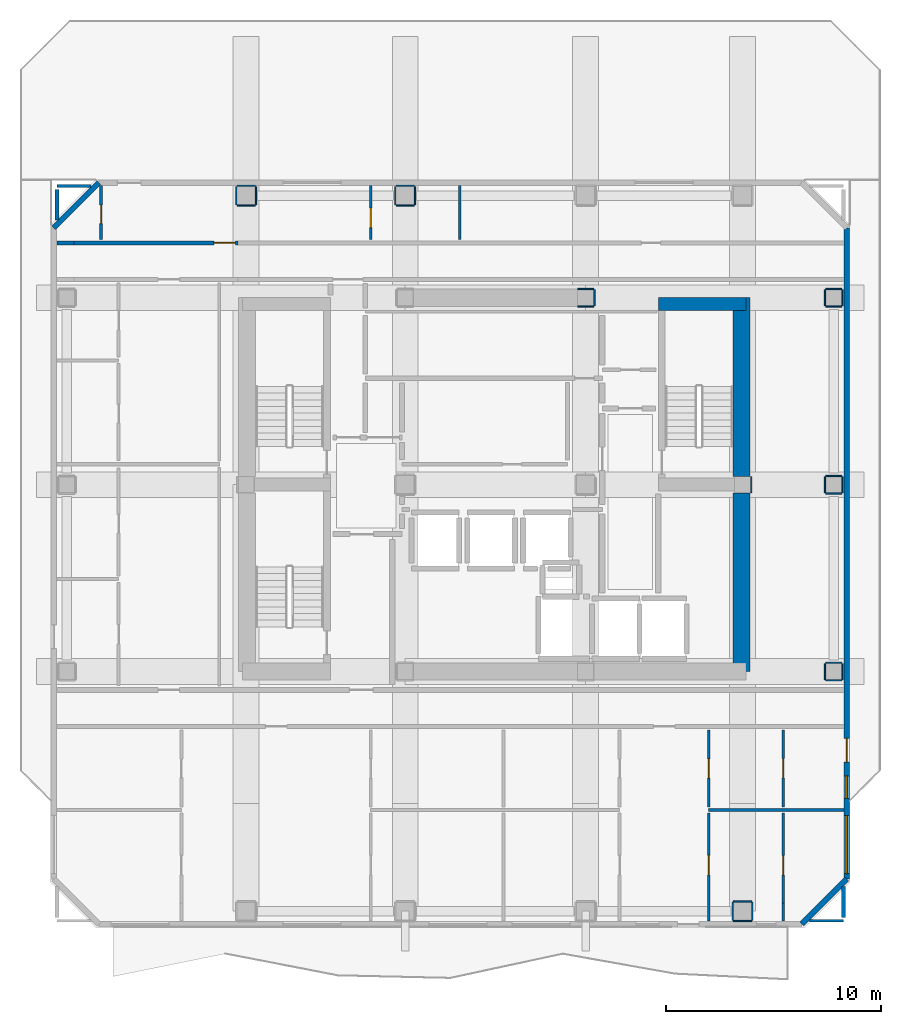
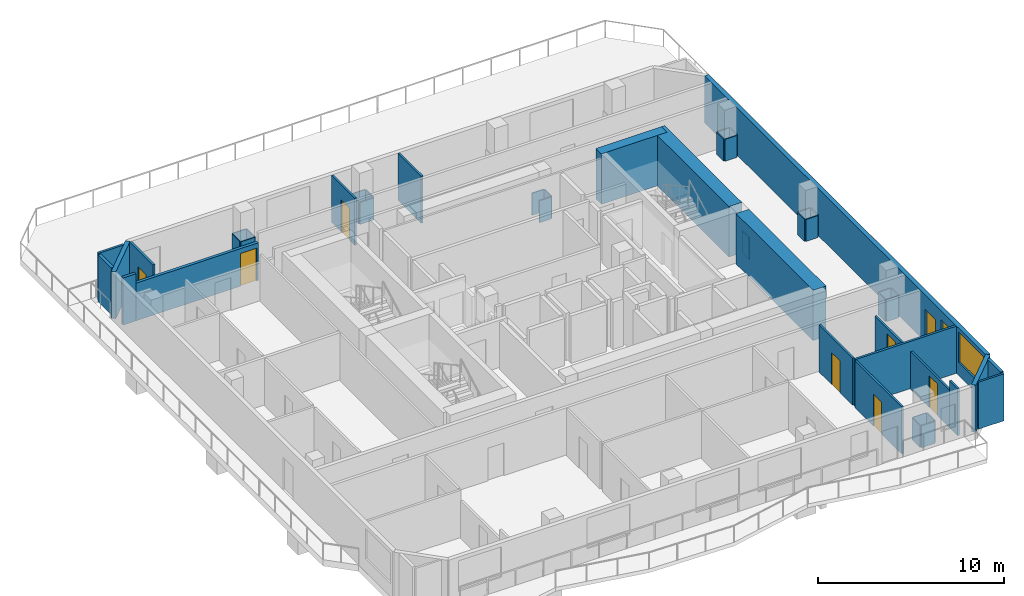
# One storey, part 5 of 10: 49 walls, 8 doors, 2 windows, 10 openings.
"""IFC4 building model written with IfcOpenShell, lengths in metres."""

import ifcopenshell
import ifcopenshell.guid

model = None  # the IFC model being written
_history = None  # IfcOwnerHistory: only IFC2X3 demands one
_inside = {}  # id of a spatial element -> (the spatial element, [elements in it])
_under = {}  # id of a project, library or spatial element -> (it, [spatial elements below it])
_declared = {}  # id of a project -> (the project, [libraries it declares])
_typed = {}  # id of a type object -> (the type object, [elements of that type])
_made_of = {}  # id of a material, layer set ... -> (it, [elements and type objects made of it])


def new_model(schema):
    """Start an empty IFC model of exactly this schema.

    Asked for "IFC4X3", IfcOpenShell would pick the latest addendum, in which some entities
    have other attributes; the version numbers below select the first issue.
    IFC2X3 requires an IfcOwnerHistory on every rooted entity: one is made here for all.
    """
    global model, _history
    if schema == "IFC4X3":
        model = ifcopenshell.file(schema_version=(4, 3, 0, 0))
    else:
        model = ifcopenshell.file(schema=schema)
    _inside.clear()
    _under.clear()
    _declared.clear()
    _typed.clear()
    _made_of.clear()
    _history = None
    if model.schema == "IFC2X3":
        org = make("IfcOrganization", Name="unknown")
        user = make(
            "IfcPersonAndOrganization",
            ThePerson=make("IfcPerson", FamilyName="unknown"),
            TheOrganization=org,
        )
        app = make(
            "IfcApplication",
            ApplicationDeveloper=org,
            Version="unknown",
            ApplicationFullName="unknown",
            ApplicationIdentifier="unknown",
        )
        _history = make(
            "IfcOwnerHistory",
            OwningUser=user,
            OwningApplication=app,
            ChangeAction="ADDED",
            CreationDate=0,
        )
    return model


def make(cls, **values):
    """One entity of the class cls with the attributes given. An attribute that is None is left unset."""
    return model.create_entity(
        cls, **{name: value for name, value in values.items() if value is not None}
    )


def rooted(cls, **values):
    """An entity with a GlobalId (a new one), such as an element, a storey or a relation."""
    return make(cls, GlobalId=ifcopenshell.guid.new(), OwnerHistory=_history, **values)


def si_unit(unit_type, name, prefix=None):
    """IfcSIUnit, for example si_unit("LENGTHUNIT", "METRE", prefix="MILLI")."""
    return make("IfcSIUnit", UnitType=unit_type, Prefix=prefix, Name=name)


def assignment(units):
    """IfcUnitAssignment: the units of a project."""
    return None if units is None else make("IfcUnitAssignment", Units=units)


def point(xyz):
    """IfcCartesianPoint."""
    return None if xyz is None else make("IfcCartesianPoint", Coordinates=xyz)


def direction(xyz):
    """IfcDirection."""
    return None if xyz is None else make("IfcDirection", DirectionRatios=xyz)


def frame(location, z_axis=None, x_axis=None):
    """IfcAxis2Placement3D, a coordinate frame: its origin and axes. An axis left out is left unset."""
    return make(
        "IfcAxis2Placement3D",
        Location=point(location),
        Axis=direction(z_axis),
        RefDirection=direction(x_axis),
    )


def frame_2d(location, x_axis=None):
    """IfcAxis2Placement2D, a coordinate frame in the plane: its origin and x axis."""
    return make(
        "IfcAxis2Placement2D", Location=point(location), RefDirection=direction(x_axis)
    )


def origin():
    """The frame at (0, 0, 0) with its axes left unset."""
    return frame((0.0, 0.0, 0.0))


def place(relative_to, where):
    """IfcLocalPlacement: puts the frame where relative to a parent placement (None: the world)."""
    return make(
        "IfcLocalPlacement", PlacementRelTo=relative_to, RelativePlacement=where
    )


def context(
    kind, dimensions, precision=None, world=None, true_north=None, identifier=None
):
    """IfcGeometricRepresentationContext, for example the 3D "Model" context."""
    return make(
        "IfcGeometricRepresentationContext",
        ContextIdentifier=identifier,
        ContextType=kind,
        CoordinateSpaceDimension=dimensions,
        Precision=precision,
        WorldCoordinateSystem=world,
        TrueNorth=true_north,
    )


def subcontext(parent, identifier, kind, view, scale=None):
    """IfcGeometricRepresentationSubContext, for example "Body" below "Model"."""
    return make(
        "IfcGeometricRepresentationSubContext",
        ContextIdentifier=identifier,
        ContextType=kind,
        ParentContext=parent,
        TargetScale=scale,
        TargetView=view,
    )


def project(units=None, contexts=None):
    """IfcProject with its units and contexts."""
    return rooted(
        "IfcProject",
        Name="project",
        RepresentationContexts=contexts,
        UnitsInContext=assignment(units),
    )


def spatial(cls, under=None, at=None, **own):
    """A site, building, storey or space (cls), placed at a placement, below another one or the project."""
    s = rooted(cls, ObjectPlacement=at, **own)
    if under is not None:
        _under.setdefault(under.id(), (under, []))[1].append(s)
    return s


def profile(cls, at=None, kind="AREA", **sizes):
    """A parametric profile (cls). Its sizes go by their IFC names, for example OverallWidth=200.0."""
    return make(cls, ProfileType=kind, Position=at, **sizes)


def rectangle(**sizes):
    """IfcRectangleProfileDef."""
    return profile("IfcRectangleProfileDef", **sizes)


def extrude(swept, where, along, depth):
    """IfcExtrudedAreaSolid: the profile swept, set in the frame where, extruded along a direction by depth."""
    return make(
        "IfcExtrudedAreaSolid",
        SweptArea=swept,
        Position=where,
        ExtrudedDirection=direction(along),
        Depth=depth,
    )


def shape(context_of_items, identifier, shape_type, items):
    """IfcShapeRepresentation: the items that make up one representation, for example the "Body"."""
    return make(
        "IfcShapeRepresentation",
        ContextOfItems=context_of_items,
        RepresentationIdentifier=identifier,
        RepresentationType=shape_type,
        Items=items,
    )


def material(Name=None, Category=None):
    """IfcMaterial."""
    return make("IfcMaterial", Name=Name, Category=Category)


def layer(
    of_material, thickness, ventilated=None, Name=None, Category=None, Priority=None
):
    """IfcMaterialLayer: one layer of a wall or slab, of a material (None: an air gap)."""
    return make(
        "IfcMaterialLayer",
        Material=of_material,
        LayerThickness=thickness,
        IsVentilated=ventilated,
        Name=Name,
        Category=Category,
        Priority=Priority,
    )


def layer_set(layers, Name=None):
    """IfcMaterialLayerSet."""
    return make("IfcMaterialLayerSet", MaterialLayers=layers, LayerSetName=Name)


def made_of(thing, what):
    """Note that an element or type object is made of a material, layer set ...; save() writes the relation."""
    if what is not None:
        _made_of.setdefault(what.id(), (what, []))[1].append(thing)
    return thing


def type_object(cls, material=None, **own):
    """A type object (cls), such as IfcWallType, which elements share."""
    return made_of(rooted(cls, **own), material)


def element(
    cls,
    number,
    at=None,
    inside=None,
    cuts=None,
    type_object=None,
    material=None,
    context=None,
    identifier="Body",
    shape_type=None,
    held_by="IfcProductDefinitionShape",
    body=None,
    shapes=None,
    **own,
):
    """One element of the class cls, such as IfcWall. Its Tag is "e" and its number.

    at: its placement. inside: the storey or other place that contains it. cuts: it is an
    opening in that element (IfcRelVoidsElement). A single representation is given by context,
    identifier, shape_type and body (its items); several are given by shapes. held_by: the class
    of the entity that holds the representations. save() writes the other relations.
    """
    e = rooted(cls, Tag="e%d" % number, ObjectPlacement=at, **own)
    if body is not None:
        shapes = [shape(context, identifier, shape_type, body)]
    if shapes is not None:
        e.Representation = make(held_by, Representations=shapes)
    if inside is not None:
        _inside.setdefault(inside.id(), (inside, []))[1].append(e)
    if cuts is not None:
        rooted(
            "IfcRelVoidsElement", RelatingBuildingElement=cuts, RelatedOpeningElement=e
        )
    if type_object is not None:
        _typed.setdefault(type_object.id(), (type_object, []))[1].append(e)
    return made_of(e, material)


def fill(opening, filler):
    """IfcRelFillsElement: the door or window that sits in an opening."""
    return rooted(
        "IfcRelFillsElement",
        RelatingOpeningElement=opening,
        RelatedBuildingElement=filler,
    )


def aggregate(whole, parts):
    """IfcRelAggregates: a whole, such as a stair, and the parts it consists of."""
    return rooted("IfcRelAggregates", RelatingObject=whole, RelatedObjects=parts)


def save(model, path):
    """Write the relations noted so far, then the file.

    IfcRelAggregates (storeys below a building ...), IfcRelContainedInSpatialStructure (elements
    in a storey), IfcRelDefinesByType, IfcRelAssociatesMaterial and IfcRelDeclares: one each for
    every whole, place, type object, material and project.
    """
    for whole, parts in _under.values():
        aggregate(whole, parts)
    for where, things in _inside.values():
        rooted(
            "IfcRelContainedInSpatialStructure",
            RelatedElements=things,
            RelatingStructure=where,
        )
    for kind, things in _typed.values():
        rooted("IfcRelDefinesByType", RelatedObjects=things, RelatingType=kind)
    for what, things in _made_of.values():
        rooted("IfcRelAssociatesMaterial", RelatedObjects=things, RelatingMaterial=what)
    for by, libraries in _declared.values():
        rooted("IfcRelDeclares", RelatingContext=by, RelatedDefinitions=libraries)
    model.write(path)


model = new_model("IFC4")

# Units and contexts
model_context = context("Model", 3, precision=1e-05, world=origin(), true_north=direction((0.0, 1.0)))
body_context = subcontext(model_context, "Body", "Model", "MODEL_VIEW")
ifc_project = project(units=[si_unit("LENGTHUNIT", "METRE"), si_unit("AREAUNIT", "SQUARE_METRE"), si_unit("VOLUMEUNIT", "CUBIC_METRE"), si_unit("PLANEANGLEUNIT", "RADIAN"), si_unit("MASSUNIT", "GRAM", prefix="KILO")], contexts=[model_context])

# Site, building, storey
site_placement = place(None, origin())
site = spatial("IfcSite", under=ifc_project, at=site_placement, CompositionType="ELEMENT")
building_placement = place(site_placement, origin())
building = spatial("IfcBuilding", under=site, at=building_placement, Name="Solanera Arch Residences", CompositionType="ELEMENT")
storey_placement = place(building_placement, frame((0.0, 0.0, 190.159912109375)))
storey = spatial("IfcBuildingStorey", under=building, at=storey_placement, Name="L55", CompositionType="ELEMENT", Elevation=190.159912109375)

# Walls
ifc_material_1 = material(Name="Fire-Rated Gypsum Stud Partition", Category="gypsum")
ifc_layer_1 = layer(ifc_material_1, 0.06005859375)
ifc_layer_set_1 = layer_set([ifc_layer_1], Name="Fire-Rated Gypsum Stud Partition")
wall_type_1 = type_object("IfcWallType", Name="Column Acoustic Furring Wall 60", PredefinedType="PARTITIONING", material=ifc_layer_set_1)
for number, where, z_axis, x_axis, name in (
    (1, (28.8330078125, 38.992919921875, 0.0), (0.0, 0.0, 1.0), (1.0, 0.0, 0.0), "L55 Column Furring 4S"),
    (2, (28.8330078125, 39.806884765625, 0.0), (0.0, 0.0, 1.0), (1.0, 0.0, 0.0), "L55 Column Furring 4N"),
):
    element("IfcWall", number, at=place(storey_placement, frame(where, z_axis=z_axis, x_axis=x_axis)), inside=storey, type_object=wall_type_1, Name=name, PredefinedType="PARTITIONING", context=body_context, shape_type="SweptSolid", body=[
        extrude(rectangle(XDim=0.741943359375, YDim=0.06005859375, at=frame_2d((0.37109375, 0.0))), origin(), (0.0, 0.0, 1.0), 1.4501953125),
    ])
for number, where, z_axis, x_axis, name in (
    (3, (29.60693359375, 39.02490234375, 0.0), (0.0, 0.0, 1.0), (0.0, 1.0, 0.0), "L55 Column Furring 4E"),
    (4, (36.906982421875, 30.324951171875, 0.0), (0.0, 0.0, 1.0), (0.0, 1.0, 0.0), "L55 Column Furring 6E"),
):
    element("IfcWall", number, at=place(storey_placement, frame(where, z_axis=z_axis, x_axis=x_axis)), inside=storey, type_object=wall_type_1, Name=name, PredefinedType="PARTITIONING", context=body_context, shape_type="SweptSolid", body=[
        extrude(rectangle(XDim=0.75, YDim=0.06005859375, at=frame_2d((0.375, 0.0))), origin(), (0.0, 0.0, 1.0), 1.4501953125),
    ])
for number, where, z_axis, x_axis, name in (
    (5, (12.97509765625, 43.693115234375, 0.0), (0.0, 0.0, 1.0), (1.0, 0.0, 0.0), "L55 Column Furring 10S"),
    (6, (12.97509765625, 44.60693359375, 0.0), (0.0, 0.0, 1.0), (1.0, 0.0, 0.0), "L55 Column Furring 10N"),
    (7, (12.943115234375, 43.72509765625, 0.0), (0.0, 0.0, 1.0), (0.0, 1.0, 0.0), "L55 Column Furring 10W"),
    (8, (13.85693359375, 43.72509765625, 0.0), (0.0, 0.0, 1.0), (0.0, 1.0, 0.0), "L55 Column Furring 10E"),
):
    element("IfcWall", number, at=place(storey_placement, frame(where, z_axis=z_axis, x_axis=x_axis)), inside=storey, type_object=wall_type_1, Name=name, PredefinedType="PARTITIONING", context=body_context, shape_type="SweptSolid", body=[
        extrude(rectangle(XDim=0.849853515625, YDim=0.06005859375, at=frame_2d((0.4248046875, 0.0))), origin(), (0.0, 0.0, 1.0), 1.4501953125),
    ])
for number, where, z_axis, x_axis, name in (
    (9, (20.375, 43.693115234375, 0.0), (0.0, 0.0, 1.0), (1.0, 0.0, 0.0), "L55 Column Furring 12S"),
    (10, (20.375, 44.60693359375, 0.0), (0.0, 0.0, 1.0), (1.0, 0.0, 0.0), "L55 Column Furring 12N"),
):
    element("IfcWall", number, at=place(storey_placement, frame(where, z_axis=z_axis, x_axis=x_axis)), inside=storey, type_object=wall_type_1, Name=name, PredefinedType="PARTITIONING", context=body_context, shape_type="SweptSolid", body=[
        extrude(rectangle(XDim=0.85009765625, YDim=0.06005859375, at=frame_2d((0.425048828125, 0.0))), origin(), (0.0, 0.0, 1.0), 1.4501953125),
    ])
for number, where, z_axis, x_axis, name in (
    (11, (20.343017578125, 43.72509765625, 0.0), (0.0, 0.0, 1.0), (0.0, 1.0, 0.0), "L55 Column Furring 12W"),
    (12, (21.257080078125, 43.72509765625, 0.0), (0.0, 0.0, 1.0), (0.0, 1.0, 0.0), "L55 Column Furring 12E"),
):
    element("IfcWall", number, at=place(storey_placement, frame(where, z_axis=z_axis, x_axis=x_axis)), inside=storey, type_object=wall_type_1, Name=name, PredefinedType="PARTITIONING", context=body_context, shape_type="SweptSolid", body=[
        extrude(rectangle(XDim=0.849853515625, YDim=0.06005859375, at=frame_2d((0.4248046875, 0.0))), origin(), (0.0, 0.0, 1.0), 1.4501953125),
    ])
for number, where, z_axis, x_axis, name in (
    (13, (36.074951171875, 10.39306640625, 0.0), (0.0, 0.0, 1.0), (1.0, 0.0, 0.0), "L55 Column Furring 15S"),
    (14, (36.074951171875, 11.306884765625, 0.0), (0.0, 0.0, 1.0), (1.0, 0.0, 0.0), "L55 Column Furring 15N"),
):
    element("IfcWall", number, at=place(storey_placement, frame(where, z_axis=z_axis, x_axis=x_axis)), inside=storey, type_object=wall_type_1, Name=name, PredefinedType="PARTITIONING", context=body_context, shape_type="SweptSolid", body=[
        extrude(rectangle(XDim=0.85009765625, YDim=0.06005859375, at=frame_2d((0.425048828125, 0.0))), origin(), (0.0, 0.0, 1.0), 1.4501953125),
    ])
for number, where, z_axis, x_axis, name in (
    (15, (36.04296875, 10.425048828125, 0.0), (0.0, 0.0, 1.0), (0.0, 1.0, 0.0), "L55 Column Furring 15W"),
    (16, (36.95703125, 10.425048828125, 0.0), (0.0, 0.0, 1.0), (0.0, 1.0, 0.0), "L55 Column Furring 15E"),
):
    element("IfcWall", number, at=place(storey_placement, frame(where, z_axis=z_axis, x_axis=x_axis)), inside=storey, type_object=wall_type_1, Name=name, PredefinedType="PARTITIONING", context=body_context, shape_type="SweptSolid", body=[
        extrude(rectangle(XDim=0.849853515625, YDim=0.06005859375, at=frame_2d((0.4248046875, 0.0))), origin(), (0.0, 0.0, 1.0), 1.4501953125),
    ])
for number, where, z_axis, x_axis, name in (
    (17, (40.375, 21.593017578125, 0.0), (0.0, 0.0, 1.0), (1.0, 0.0, 0.0), "L55 Column Furring 18S"),
    (18, (40.375, 22.406982421875, 0.0), (0.0, 0.0, 1.0), (1.0, 0.0, 0.0), "L55 Column Furring 18N"),
    (19, (40.343017578125, 21.625, 0.0), (0.0, 0.0, 1.0), (0.0, 1.0, 0.0), "L55 Column Furring 18W"),
    (20, (41.156982421875, 21.625, 0.0), (0.0, 0.0, 1.0), (0.0, 1.0, 0.0), "L55 Column Furring 18E"),
    (21, (40.375, 30.29296875, 0.0), (0.0, 0.0, 1.0), (1.0, 0.0, 0.0), "L55 Column Furring 20S"),
    (22, (40.375, 31.10693359375, 0.0), (0.0, 0.0, 1.0), (1.0, 0.0, 0.0), "L55 Column Furring 20N"),
    (23, (40.343017578125, 30.324951171875, 0.0), (0.0, 0.0, 1.0), (0.0, 1.0, 0.0), "L55 Column Furring 20W"),
    (24, (41.156982421875, 30.324951171875, 0.0), (0.0, 0.0, 1.0), (0.0, 1.0, 0.0), "L55 Column Furring 20E"),
    (25, (40.375, 38.992919921875, 0.0), (0.0, 0.0, 1.0), (1.0, 0.0, 0.0), "L55 Column Furring 22S"),
    (26, (40.375, 39.806884765625, 0.0), (0.0, 0.0, 1.0), (1.0, 0.0, 0.0), "L55 Column Furring 22N"),
    (27, (40.343017578125, 39.02490234375, 0.0), (0.0, 0.0, 1.0), (0.0, 1.0, 0.0), "L55 Column Furring 22W"),
    (28, (41.156982421875, 39.02490234375, 0.0), (0.0, 0.0, 1.0), (0.0, 1.0, 0.0), "L55 Column Furring 22E"),
):
    element("IfcWall", number, at=place(storey_placement, frame(where, z_axis=z_axis, x_axis=x_axis)), inside=storey, type_object=wall_type_1, Name=name, PredefinedType="PARTITIONING", context=body_context, shape_type="SweptSolid", body=[
        extrude(rectangle(XDim=0.75, YDim=0.06005859375, at=frame_2d((0.375, 0.0))), origin(), (0.0, 0.0, 1.0), 1.4501953125),
    ])
ifc_material_2 = material(Name="Concrete C40/50 (f'c = 45 MPa)", Category="concrete")
ifc_layer_2 = layer(ifc_material_2, 0.60009765625)
ifc_layer_set_2 = layer_set([ifc_layer_2], Name="Concrete C40/50 (f'c = 45 MPa)")
wall_type_2 = type_object("IfcWallType", Name="Core Shear Wall CW-600", PredefinedType="SHEAR", material=ifc_layer_set_2)
wall_1_placement = place(storey_placement, frame((32.580078125, 39.10009765625, 0.0), z_axis=(0.0, 0.0, 1.0), x_axis=(1.0, 0.0, 0.0)))
element("IfcWall", 29, at=wall_1_placement, inside=storey, type_object=wall_type_2, Name="L55 North-East Core Shear Wall", PredefinedType="SHEAR", context=body_context, shape_type="SweptSolid", body=[
    extrude(rectangle(XDim=4.079833984375, YDim=0.60009765625, at=frame_2d((2.0400390625, 0.0))), origin(), (0.0, 0.0, 1.0), 3.320068359375),
])
ifc_material_3 = material(Name="Concrete C40/50 (f'c = 45 MPa)", Category="concrete")
ifc_layer_3 = layer(ifc_material_3, 0.800048828125)
ifc_layer_set_3 = layer_set([ifc_layer_3], Name="Concrete C40/50 (f'c = 45 MPa)")
wall_type_3 = type_object("IfcWallType", Name="Core Shear Wall CW-800", PredefinedType="SHEAR", material=ifc_layer_set_3)
wall_2_placement = place(storey_placement, frame((36.4599609375, 22.0, 0.0), z_axis=(0.0, 0.0, 1.0), x_axis=(0.0, 1.0, 0.0)))
element("IfcWall", 30, at=wall_2_placement, inside=storey, type_object=wall_type_3, Name="L55 East Core South Shear Wall", PredefinedType="SHEAR", context=body_context, shape_type="SweptSolid", body=[
    extrude(rectangle(XDim=8.320068359375, YDim=0.800048828125, at=frame_2d((4.16015625, 0.0))), origin(), (0.0, 0.0, 1.0), 3.320068359375),
])
wall_3_placement = place(storey_placement, frame((36.4599609375, 31.080078125, 0.0), z_axis=(0.0, 0.0, 1.0), x_axis=(0.0, 1.0, 0.0)))
element("IfcWall", 31, at=wall_3_placement, inside=storey, type_object=wall_type_3, Name="L55 East Core North Shear Wall", PredefinedType="SHEAR", context=body_context, shape_type="SweptSolid", body=[
    extrude(rectangle(XDim=8.31982421875, YDim=0.800048828125, at=frame_2d((4.159912109375, 0.0))), origin(), (0.0, 0.0, 1.0), 3.320068359375),
])
ifc_material_4 = material(Name="Autoclaved Aerated Concrete Blockwork", Category="masonry")
ifc_layer_4 = layer(ifc_material_4, 0.179931640625)
ifc_layer_set_4 = layer_set([ifc_layer_4], Name="Autoclaved Aerated Concrete Blockwork")
wall_type_4 = type_object("IfcWallType", Name="Corridor Fire Partition 180", PredefinedType="PARTITIONING", material=ifc_layer_set_4)
wall_4_placement = place(storey_placement, frame((4.5869140625, 41.949951171875, 0.0), z_axis=(0.0, 0.0, 1.0), x_axis=(1.0, 0.0, 0.0)))
element("IfcWall", 32, at=wall_4_placement, inside=storey, type_object=wall_type_4, Name="L55 Interior Partition H13 1", PredefinedType="PARTITIONING", context=body_context, shape_type="SweptSolid", body=[
    extrude(rectangle(XDim=0.801025390625, YDim=0.179931640625, at=frame_2d((0.400390625, 0.0))), origin(), (0.0, 0.0, 1.0), 3.10009765625),
])

# Wall, opening, door
wall_5_placement = place(storey_placement, frame((5.387939453125, 41.949951171875, 0.0), z_axis=(0.0, 0.0, 1.0), x_axis=(1.0, 0.0, 0.0)))
wall_5 = element("IfcWall", 33, at=wall_5_placement, inside=storey, type_object=wall_type_4, Name="L55 Interior Partition H13 2", PredefinedType="PARTITIONING", context=body_context, shape_type="SweptSolid", body=[
    extrude(rectangle(XDim=7.6240234375, YDim=0.179931640625, at=frame_2d((3.81201171875, 0.0))), origin(), (0.0, 0.0, 1.0), 2.47705078125),
])
opening_1_placement = place(wall_5_placement, frame((6.513916015625, 0.0, 0.0)))
opening_1 = element("IfcOpeningElement", 34, at=opening_1_placement, cuts=wall_5, Name="Opening DI-01", PredefinedType="OPENING", context=body_context, shape_type="SweptSolid", body=[
    extrude(rectangle(XDim=1.0, YDim=2.14990234375, at=frame_2d((0.5, 1.074951171875))), frame((0.0, 0.10009765625, 0.0), z_axis=(0.0, -1.0, 0.0), x_axis=(1.0, 0.0, 0.0)), (0.0, 0.0, 1.0), 0.1999),
])
ifc_material_5 = material(Name="Fire-Rated Architectural Hardwood", Category="wood")
door_type_1 = type_object("IfcDoorType", Name="Unit Entrance Fire Door DI-01", OperationType="NOTDEFINED", PredefinedType="DOOR", material=ifc_material_5)
door_1_placement = place(opening_1_placement, origin())
door_1 = element("IfcDoor", 35, at=door_1_placement, inside=storey, type_object=door_type_1, Name="DR-L55-IN-026", OperationType="SINGLE_SWING_LEFT", OverallHeight=2.14990234375, OverallWidth=1.0, PredefinedType="DOOR", context=body_context, shape_type="SweptSolid", body=[
    extrude(rectangle(XDim=1.0, YDim=2.14990234375, at=frame_2d((0.5, 1.074951171875))), frame((0.0, 0.02490234375, 0.0), z_axis=(0.0, -1.0, 0.0), x_axis=(1.0, 0.0, 0.0)), (0.0, 0.0, 1.0), 0.050048828125),
])
fill(opening_1, door_1)

# Walls
wall_6_placement = place(storey_placement, frame((4.60009765625, 43.010986328125, 0.0), z_axis=(0.0, 0.0, 1.0), x_axis=(0.0, 1.0, 0.0)))
element("IfcWall", 36, at=wall_6_placement, inside=storey, type_object=wall_type_4, Name="L55 Interior Partition V7 2", PredefinedType="PARTITIONING", context=body_context, shape_type="SweptSolid", body=[
    extrude(rectangle(XDim=1.4208984375, YDim=0.179931640625, at=frame_2d((0.71044921875, 0.0))), origin(), (0.0, 0.0, 1.0), 3.10009765625),
])
wall_7_placement = place(storey_placement, frame((41.199951171875, 10.55810546875, 0.0), z_axis=(0.0, 0.0, 1.0), x_axis=(0.0, 1.0, 0.0)))
element("IfcWall", 37, at=wall_7_placement, inside=storey, type_object=wall_type_4, Name="L55 Interior Partition V9", PredefinedType="PARTITIONING", context=body_context, shape_type="SweptSolid", body=[
    extrude(rectangle(XDim=1.430908203125, YDim=0.179931640625, at=frame_2d((0.71533203125, 0.0))), origin(), (0.0, 0.0, 1.0), 3.10009765625),
])
ifc_material_6 = material(Name="Precast Concrete C35/45", Category="concrete")
ifc_layer_5 = layer(ifc_material_6, 0.260009765625)
ifc_layer_set_5 = layer_set([ifc_layer_5], Name="Precast Concrete C35/45")
wall_type_5 = type_object("IfcWallType", Name="Exterior Wall Precast Masonry-Frame 260", PredefinedType="STANDARD", material=ifc_layer_set_5)
wall_8_placement = place(storey_placement, frame((4.445068359375, 42.655029296875, 0.0), z_axis=(0.0, 0.0, 1.0), x_axis=(0.707106781187, 0.707106781187, 0.0)))
element("IfcWall", 38, at=wall_8_placement, inside=storey, type_object=wall_type_5, Name="L55 Tower Exterior Precast Masonry-Frame Wall CH1", PredefinedType="STANDARD", context=body_context, shape_type="SweptSolid", body=[
    extrude(rectangle(XDim=2.9697265625, YDim=0.260009765625, at=frame_2d((1.48486328125, 0.0))), origin(), (0.0, 0.0, 1.0), 3.10009765625),
])

# Wall, openings, door, windows
wall_9_placement = place(storey_placement, frame((41.35498046875, 42.655029296875, 0.0), z_axis=(0.0, 0.0, 1.0), x_axis=(0.0, -1.0, 0.0)))
wall_9 = element("IfcWall", 39, at=wall_9_placement, inside=storey, type_object=wall_type_5, Name="L55 Tower Exterior Precast Masonry-Frame Wall E", PredefinedType="STANDARD", context=body_context, shape_type="SweptSolid", body=[
    extrude(rectangle(XDim=30.31005859375, YDim=0.260009765625, at=frame_2d((15.155029296875, 0.0))), origin(), (0.0, 0.0, 1.0), 3.10009765625),
])
opening_2_placement = place(wall_9_placement, frame((23.76806640625, 0.0, 0.0)))
opening_2 = element("IfcOpeningElement", 40, at=opening_2_placement, cuts=wall_9, Name="Opening DB-02", PredefinedType="OPENING", context=body_context, shape_type="SweptSolid", body=[
    extrude(rectangle(XDim=1.10009765625, YDim=2.14990234375, at=frame_2d((0.550048828125, 1.074951171875))), frame((0.0, 0.139892578125, 0.0), z_axis=(0.0, -1.0, 0.0), x_axis=(1.0, 0.0, 0.0)), (0.0, 0.0, 1.0), 0.28),
])
opening_3_placement = place(wall_9_placement, frame((25.507080078125, 0.0, 0.85009765625)))
opening_3 = element("IfcOpeningElement", 41, at=opening_3_placement, cuts=wall_9, Name="Opening W-07", PredefinedType="OPENING", context=body_context, shape_type="SweptSolid", body=[
    extrude(rectangle(XDim=1.050048828125, YDim=1.64990234375, at=frame_2d((0.52490234375, 0.824951171875))), frame((0.0, 0.139892578125, 0.0), z_axis=(0.0, -1.0, 0.0), x_axis=(1.0, 0.0, 0.0)), (0.0, 0.0, 1.0), 0.28),
])
opening_4_placement = place(wall_9_placement, frame((27.35791015625, 0.0, 0.85009765625)))
opening_4 = element("IfcOpeningElement", 42, at=opening_4_placement, cuts=wall_9, Name="Opening W-09", PredefinedType="OPENING", context=body_context, shape_type="SweptSolid", body=[
    extrude(rectangle(XDim=2.699951171875, YDim=2.0, at=frame_2d((1.35009765625, 1.0))), frame((0.0, 0.139892578125, 0.0), z_axis=(0.0, -1.0, 0.0), x_axis=(1.0, 0.0, 0.0)), (0.0, 0.0, 1.0), 0.28),
])
ifc_material_7 = material(Name="Anodised Aluminium Alloy 6063-T6", Category="aluminium")
door_type_2 = type_object("IfcDoorType", Name="Glazed Terrace Swing Door DB-02", OperationType="NOTDEFINED", PredefinedType="DOOR", material=ifc_material_7)
door_2_placement = place(opening_2_placement, origin())
door_2 = element("IfcDoor", 43, at=door_2_placement, inside=storey, type_object=door_type_2, Name="DR-L55-OUT-03", OperationType="SINGLE_SWING_LEFT", OverallHeight=2.14990234375, OverallWidth=1.10009765625, PredefinedType="DOOR", context=body_context, shape_type="SweptSolid", body=[
    extrude(rectangle(XDim=1.10009765625, YDim=2.14990234375, at=frame_2d((0.550048828125, 1.074951171875))), frame((0.0, 0.02490234375, 0.0), z_axis=(0.0, -1.0, 0.0), x_axis=(1.0, 0.0, 0.0)), (0.0, 0.0, 1.0), 0.050048828125),
])
fill(opening_2, door_2)
ifc_material_8 = material(Name="Double Glazed Low-E Laminated Glass", Category="glass")
window_type_1 = type_object("IfcWindowType", Name="Punched Window W-07", PartitioningType="SINGLE_PANEL", PredefinedType="WINDOW", material=ifc_material_8)
window_1_placement = place(opening_3_placement, origin())
window_1 = element("IfcWindow", 44, at=window_1_placement, inside=storey, type_object=window_type_1, Name="L55 5502-STD Punched Window", OverallHeight=1.64990234375, OverallWidth=1.050048828125, PartitioningType="SINGLE_PANEL", PredefinedType="WINDOW", context=body_context, shape_type="SweptSolid", body=[
    extrude(rectangle(XDim=1.050048828125, YDim=1.64990234375, at=frame_2d((0.52490234375, 0.824951171875))), frame((0.0, 0.030029296875, 0.0), z_axis=(0.0, -1.0, 0.0), x_axis=(1.0, 0.0, 0.0)), (0.0, 0.0, 1.0), 0.06005859375),
])
fill(opening_3, window_1)
ifc_material_9 = material(Name="Double Glazed Low-E Laminated Glass", Category="glass")
window_type_2 = type_object("IfcWindowType", Name="Punched Window W-09", PartitioningType="TRIPLE_PANEL_VERTICAL", PredefinedType="WINDOW", material=ifc_material_9)
window_2_placement = place(opening_4_placement, origin())
window_2 = element("IfcWindow", 45, at=window_2_placement, inside=storey, type_object=window_type_2, Name="L55 5502-BR3 Punched Window", OverallHeight=2.0, OverallWidth=2.699951171875, PartitioningType="SINGLE_PANEL", PredefinedType="WINDOW", context=body_context, shape_type="SweptSolid", body=[
    extrude(rectangle(XDim=2.699951171875, YDim=2.0, at=frame_2d((1.35009765625, 1.0))), frame((0.0, 0.030029296875, 0.0), z_axis=(0.0, -1.0, 0.0), x_axis=(1.0, 0.0, 0.0)), (0.0, 0.0, 1.0), 0.06005859375),
])
fill(opening_4, window_2)

# Walls
wall_10_placement = place(storey_placement, frame((41.35498046875, 12.344970703125, 0.0), z_axis=(0.0, 0.0, 1.0), x_axis=(-0.707147883682, -0.707065676302, 0.0)))
element("IfcWall", 46, at=wall_10_placement, inside=storey, type_object=wall_type_5, Name="L55 Tower Exterior Precast Masonry-Frame Wall CH5", PredefinedType="STANDARD", context=body_context, shape_type="SweptSolid", body=[
    extrude(rectangle(XDim=2.9697265625, YDim=0.260009765625, at=frame_2d((1.48486328125, 0.0))), origin(), (0.0, 0.0, 1.0), 3.10009765625),
])
ifc_material_10 = material(Name="Fire-Rated Gypsum Stud Partition", Category="gypsum")
ifc_layer_6 = layer(ifc_material_10, 0.1201171875)
ifc_layer_set_6 = layer_set([ifc_layer_6], Name="Fire-Rated Gypsum Stud Partition")
wall_type_6 = type_object("IfcWallType", Name="Unit Drywall Partition 120", PredefinedType="PARTITIONING", material=ifc_layer_set_6)
wall_11_placement = place(storey_placement, frame((39.611083984375, 10.39990234375, 0.0), z_axis=(0.0, 0.0, 1.0), x_axis=(1.0, 0.0, 0.0)))
element("IfcWall", 47, at=wall_11_placement, inside=storey, type_object=wall_type_6, Name="L55 Interior Partition H20 2", PredefinedType="PARTITIONING", context=body_context, shape_type="SweptSolid", body=[
    extrude(rectangle(XDim=1.5888671875, YDim=0.1201171875, at=frame_2d((0.79443359375, 0.0))), origin(), (0.0, 0.0, 1.0), 3.10009765625),
])

# Wall, opening, door
wall_12_placement = place(storey_placement, frame((19.198974609375, 42.10791015625, 0.0), z_axis=(0.0, 0.0, 1.0), x_axis=(0.0, 1.0, 0.0)))
wall_12 = element("IfcWall", 48, at=wall_12_placement, inside=storey, type_object=wall_type_6, Name="L55 Interior Partition V18", PredefinedType="PARTITIONING", context=body_context, shape_type="SweptSolid", body=[
    extrude(rectangle(XDim=2.505126953125, YDim=0.1201171875, at=frame_2d((1.25244140625, 0.0))), origin(), (0.0, 0.0, 1.0), 3.10009765625),
])
opening_5_placement = place(wall_12_placement, frame((0.556884765625, 0.0, 0.0)))
opening_5 = element("IfcOpeningElement", 49, at=opening_5_placement, cuts=wall_12, Name="Opening DI-02", PredefinedType="OPENING", context=body_context, shape_type="SweptSolid", body=[
    extrude(rectangle(XDim=0.89990234375, YDim=2.10009765625, at=frame_2d((0.449951171875, 1.050048828125))), frame((0.0, 0.070068359375, 0.0), z_axis=(0.0, -1.0, 0.0), x_axis=(1.0, 0.0, 0.0)), (0.0, 0.0, 1.0), 0.1401),
])
ifc_material_11 = material(Name="Fire-Rated Architectural Hardwood", Category="wood")
door_type_3 = type_object("IfcDoorType", Name="Suite Room Swing Door DI-02", OperationType="NOTDEFINED", PredefinedType="DOOR", material=ifc_material_11)
door_3_placement = place(opening_5_placement, origin())
door_3 = element("IfcDoor", 50, at=door_3_placement, inside=storey, type_object=door_type_3, Name="DR-L55-IN-028", OperationType="SINGLE_SWING_LEFT", OverallHeight=2.10009765625, OverallWidth=0.89990234375, PredefinedType="DOOR", context=body_context, shape_type="SweptSolid", body=[
    extrude(rectangle(XDim=0.89990234375, YDim=2.10009765625, at=frame_2d((0.449951171875, 1.050048828125))), frame((0.0, 0.02490234375, 0.0), z_axis=(0.0, -1.0, 0.0), x_axis=(1.0, 0.0, 0.0)), (0.0, 0.0, 1.0), 0.050048828125),
])
fill(opening_5, door_3)

# Wall
wall_13_placement = place(storey_placement, frame((23.337890625, 42.10791015625, 0.0), z_axis=(0.0, 0.0, 1.0), x_axis=(0.0, 1.0, 0.0)))
element("IfcWall", 51, at=wall_13_placement, inside=storey, type_object=wall_type_6, Name="L55 Interior Partition V19", PredefinedType="PARTITIONING", context=body_context, shape_type="SweptSolid", body=[
    extrude(rectangle(XDim=2.505126953125, YDim=0.1201171875, at=frame_2d((1.25244140625, 0.0))), origin(), (0.0, 0.0, 1.0), 3.10009765625),
])

# Wall, opening, door
wall_14_placement = place(storey_placement, frame((34.919921875, 10.386962890625, 0.0), z_axis=(0.0, 0.0, 1.0), x_axis=(0.0, 1.0, 0.0)))
wall_14 = element("IfcWall", 52, at=wall_14_placement, inside=storey, type_object=wall_type_6, Name="L55 Interior Partition V20 1", PredefinedType="PARTITIONING", context=body_context, shape_type="SweptSolid", body=[
    extrude(rectangle(XDim=5.033935546875, YDim=0.1201171875, at=frame_2d((2.51708984375, 0.0))), origin(), (0.0, 0.0, 1.0), 3.10009765625),
])
opening_6_placement = place(wall_14_placement, frame((2.155029296875, 0.0, 0.0)))
opening_6 = element("IfcOpeningElement", 53, at=opening_6_placement, cuts=wall_14, Name="Opening DI-03", PredefinedType="OPENING", context=body_context, shape_type="SweptSolid", body=[
    extrude(rectangle(XDim=0.89990234375, YDim=2.10009765625, at=frame_2d((0.449951171875, 1.050048828125))), frame((0.0, 0.070068359375, 0.0), z_axis=(0.0, -1.0, 0.0), x_axis=(1.0, 0.0, 0.0)), (0.0, 0.0, 1.0), 0.1401),
])
ifc_material_12 = material(Name="Fire-Rated Architectural Hardwood", Category="wood")
door_type_4 = type_object("IfcDoorType", Name="Bedroom Swing Door DI-03", OperationType="NOTDEFINED", PredefinedType="DOOR", material=ifc_material_12)
door_4_placement = place(opening_6_placement, origin())
door_4 = element("IfcDoor", 54, at=door_4_placement, inside=storey, type_object=door_type_4, Name="DR-L55-IN-024", OperationType="SINGLE_SWING_LEFT", OverallHeight=2.10009765625, OverallWidth=0.89990234375, PredefinedType="DOOR", context=body_context, shape_type="SweptSolid", body=[
    extrude(rectangle(XDim=0.89990234375, YDim=2.10009765625, at=frame_2d((0.449951171875, 1.050048828125))), frame((0.0, 0.02490234375, 0.0), z_axis=(0.0, -1.0, 0.0), x_axis=(1.0, 0.0, 0.0)), (0.0, 0.0, 1.0), 0.050048828125),
])
fill(opening_6, door_4)

wall_15_placement = place(storey_placement, frame((34.919921875, 15.697021484375, 0.0), z_axis=(0.0, 0.0, 1.0), x_axis=(0.0, 1.0, 0.0)))
wall_15 = element("IfcWall", 55, at=wall_15_placement, inside=storey, type_object=wall_type_6, Name="L55 Interior Partition V20 2", PredefinedType="PARTITIONING", context=body_context, shape_type="SweptSolid", body=[
    extrude(rectangle(XDim=3.594970703125, YDim=0.1201171875, at=frame_2d((1.79736328125, 0.0))), origin(), (0.0, 0.0, 1.0), 3.10009765625),
])
opening_7_placement = place(wall_15_placement, frame((1.344970703125, 0.0, 0.0)))
opening_7 = element("IfcOpeningElement", 56, at=opening_7_placement, cuts=wall_15, Name="Opening DI-02", PredefinedType="OPENING", context=body_context, shape_type="SweptSolid", body=[
    extrude(rectangle(XDim=0.89990234375, YDim=2.10009765625, at=frame_2d((0.449951171875, 1.050048828125))), frame((0.0, 0.070068359375, 0.0), z_axis=(0.0, -1.0, 0.0), x_axis=(1.0, 0.0, 0.0)), (0.0, 0.0, 1.0), 0.1401),
])
door_5_placement = place(opening_7_placement, origin())
door_5 = element("IfcDoor", 57, at=door_5_placement, inside=storey, type_object=door_type_3, Name="DR-L55-IN-022", OperationType="SINGLE_SWING_LEFT", OverallHeight=2.10009765625, OverallWidth=0.89990234375, PredefinedType="DOOR", context=body_context, shape_type="SweptSolid", body=[
    extrude(rectangle(XDim=0.89990234375, YDim=2.10009765625, at=frame_2d((0.449951171875, 1.050048828125))), frame((0.0, 0.02490234375, 0.0), z_axis=(0.0, -1.0, 0.0), x_axis=(1.0, 0.0, 0.0)), (0.0, 0.0, 1.0), 0.050048828125),
])
fill(opening_7, door_5)

# Wall
wall_16_placement = place(storey_placement, frame((38.388916015625, 10.386962890625, 0.0), z_axis=(0.0, 0.0, 1.0), x_axis=(0.0, 1.0, 0.0)))
element("IfcWall", 58, at=wall_16_placement, inside=storey, type_object=wall_type_6, Name="L55 Interior Partition V21 1", PredefinedType="PARTITIONING", context=body_context, shape_type="SweptSolid", body=[
    extrude(rectangle(XDim=0.85205078125, YDim=0.1201171875, at=frame_2d((0.426025390625, 0.0))), origin(), (0.0, 0.0, 1.0), 3.10009765625),
])

# Wall, opening, door
wall_17_placement = place(storey_placement, frame((38.388916015625, 11.239013671875, 0.0), z_axis=(0.0, 0.0, 1.0), x_axis=(0.0, 1.0, 0.0)))
wall_17 = element("IfcWall", 59, at=wall_17_placement, inside=storey, type_object=wall_type_6, Name="L55 Interior Partition V21 2", PredefinedType="PARTITIONING", context=body_context, shape_type="SweptSolid", body=[
    extrude(rectangle(XDim=4.181884765625, YDim=0.1201171875, at=frame_2d((2.0908203125, 0.0))), origin(), (0.0, 0.0, 1.0), 2.47705078125),
])
opening_8_placement = place(wall_17_placement, frame((1.291015625, 0.0, 0.0)))
opening_8 = element("IfcOpeningElement", 60, at=opening_8_placement, cuts=wall_17, Name="Opening DI-03", PredefinedType="OPENING", context=body_context, shape_type="SweptSolid", body=[
    extrude(rectangle(XDim=0.89990234375, YDim=2.10009765625, at=frame_2d((0.449951171875, 1.050048828125))), frame((0.0, 0.070068359375, 0.0), z_axis=(0.0, -1.0, 0.0), x_axis=(1.0, 0.0, 0.0)), (0.0, 0.0, 1.0), 0.1401),
])
door_6_placement = place(opening_8_placement, origin())
door_6 = element("IfcDoor", 61, at=door_6_placement, inside=storey, type_object=door_type_4, Name="DR-L55-IN-025", OperationType="SINGLE_SWING_RIGHT", OverallHeight=2.10009765625, OverallWidth=0.89990234375, PredefinedType="DOOR", context=body_context, shape_type="SweptSolid", body=[
    extrude(rectangle(XDim=0.89990234375, YDim=2.10009765625, at=frame_2d((0.449951171875, 1.050048828125))), frame((0.0, 0.02490234375, 0.0), z_axis=(0.0, -1.0, 0.0), x_axis=(1.0, 0.0, 0.0)), (0.0, 0.0, 1.0), 0.050048828125),
])
fill(opening_8, door_6)

wall_18_placement = place(storey_placement, frame((38.388916015625, 15.697021484375, 0.0), z_axis=(0.0, 0.0, 1.0), x_axis=(0.0, 1.0, 0.0)))
wall_18 = element("IfcWall", 62, at=wall_18_placement, inside=storey, type_object=wall_type_6, Name="L55 Interior Partition V21 3", PredefinedType="PARTITIONING", context=body_context, shape_type="SweptSolid", body=[
    extrude(rectangle(XDim=3.594970703125, YDim=0.1201171875, at=frame_2d((1.79736328125, 0.0))), origin(), (0.0, 0.0, 1.0), 2.47705078125),
])
opening_9_placement = place(wall_18_placement, frame((1.35791015625, 0.0, 0.0)))
opening_9 = element("IfcOpeningElement", 63, at=opening_9_placement, cuts=wall_18, Name="Opening DI-02", PredefinedType="OPENING", context=body_context, shape_type="SweptSolid", body=[
    extrude(rectangle(XDim=0.89990234375, YDim=2.10009765625, at=frame_2d((0.449951171875, 1.050048828125))), frame((0.0, 0.070068359375, 0.0), z_axis=(0.0, -1.0, 0.0), x_axis=(1.0, 0.0, 0.0)), (0.0, 0.0, 1.0), 0.1401),
])
door_7_placement = place(opening_9_placement, origin())
door_7 = element("IfcDoor", 64, at=door_7_placement, inside=storey, type_object=door_type_3, Name="DR-L55-IN-023", OperationType="SINGLE_SWING_RIGHT", OverallHeight=2.10009765625, OverallWidth=0.89990234375, PredefinedType="DOOR", context=body_context, shape_type="SweptSolid", body=[
    extrude(rectangle(XDim=0.89990234375, YDim=2.10009765625, at=frame_2d((0.449951171875, 1.050048828125))), frame((0.0, 0.02490234375, 0.0), z_axis=(0.0, -1.0, 0.0), x_axis=(1.0, 0.0, 0.0)), (0.0, 0.0, 1.0), 0.050048828125),
])
fill(opening_9, door_7)

# Walls
ifc_material_13 = material(Name="Autoclaved Aerated Concrete Blockwork", Category="masonry")
ifc_layer_7 = layer(ifc_material_13, 0.139892578125)
ifc_layer_set_7 = layer_set([ifc_layer_7], Name="Autoclaved Aerated Concrete Blockwork")
wall_type_7 = type_object("IfcWallType", Name="Wet-Room Partition 140", PredefinedType="PARTITIONING", material=ifc_layer_set_7)
wall_19_placement = place(storey_placement, frame((34.919921875, 15.55908203125, 0.0), z_axis=(0.0, 0.0, 1.0), x_axis=(1.0, 0.0, 0.0)))
element("IfcWall", 65, at=wall_19_placement, inside=storey, type_object=wall_type_7, Name="L55 Interior Partition H16", PredefinedType="PARTITIONING", context=body_context, shape_type="SweptSolid", body=[
    extrude(rectangle(XDim=6.29296875, YDim=0.139892578125, at=frame_2d((3.146484375, 0.0))), origin(), (0.0, 0.0, 1.0), 3.10009765625),
])
wall_20_placement = place(storey_placement, frame((4.60009765625, 44.60009765625, 0.0), z_axis=(0.0, 0.0, 1.0), x_axis=(1.0, 0.0, 0.0)))
element("IfcWall", 66, at=wall_20_placement, inside=storey, type_object=wall_type_7, Name="L55 Interior Partition H19 1", PredefinedType="PARTITIONING", context=body_context, shape_type="SweptSolid", body=[
    extrude(rectangle(XDim=1.5888671875, YDim=0.139892578125, at=frame_2d((0.79443359375, 0.0))), origin(), (0.0, 0.0, 1.0), 3.10009765625),
])

# Wall, opening, door
wall_21_placement = place(storey_placement, frame((6.64990234375, 42.117919921875, 0.0), z_axis=(0.0, 0.0, 1.0), x_axis=(0.0, 1.0, 0.0)))
wall_21 = element("IfcWall", 67, at=wall_21_placement, inside=storey, type_object=wall_type_7, Name="L55 Interior Partition V11", PredefinedType="PARTITIONING", context=body_context, shape_type="SweptSolid", body=[
    extrude(rectangle(XDim=2.4951171875, YDim=0.139892578125, at=frame_2d((1.24755859375, 0.0))), origin(), (0.0, 0.0, 1.0), 3.10009765625),
])
opening_10_placement = place(wall_21_placement, frame((0.72705078125, 0.0, 0.0)))
opening_10 = element("IfcOpeningElement", 68, at=opening_10_placement, cuts=wall_21, Name="Opening DI-05", PredefinedType="OPENING", context=body_context, shape_type="SweptSolid", body=[
    extrude(rectangle(XDim=0.860107421875, YDim=2.02001953125, at=frame_2d((0.43017578125, 1.010009765625))), frame((0.0, 0.079833984375, 0.0), z_axis=(0.0, -1.0, 0.0), x_axis=(1.0, 0.0, 0.0)), (0.0, 0.0, 1.0), 0.1599),
])
ifc_material_14 = material(Name="Fire-Rated Architectural Hardwood", Category="wood")
door_type_5 = type_object("IfcDoorType", Name="Bathroom Swing Door DI-05", OperationType="NOTDEFINED", PredefinedType="DOOR", material=ifc_material_14)
door_8_placement = place(opening_10_placement, origin())
door_8 = element("IfcDoor", 69, at=door_8_placement, inside=storey, type_object=door_type_5, Name="DR-L55-IN-027", OperationType="SINGLE_SWING_RIGHT", OverallHeight=2.02001953125, OverallWidth=0.860107421875, PredefinedType="DOOR", context=body_context, shape_type="SweptSolid", body=[
    extrude(rectangle(XDim=0.860107421875, YDim=2.02001953125, at=frame_2d((0.43017578125, 1.010009765625))), frame((0.0, 0.02490234375, 0.0), z_axis=(0.0, -1.0, 0.0), x_axis=(1.0, 0.0, 0.0)), (0.0, 0.0, 1.0), 0.050048828125),
])
fill(opening_10, door_8)

save(model, "model.ifc")
